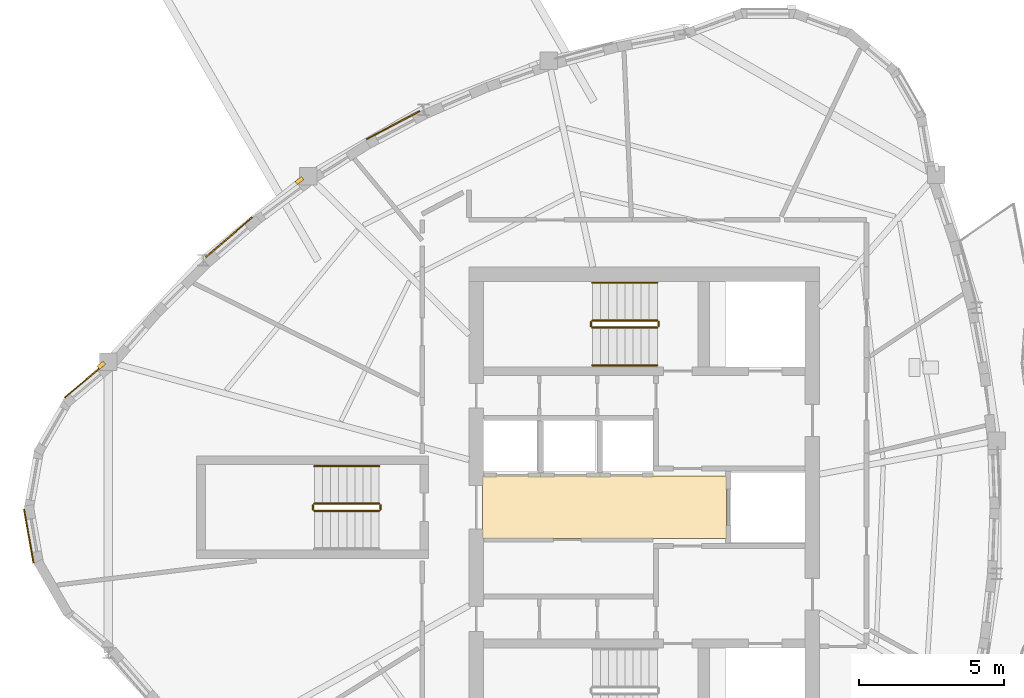
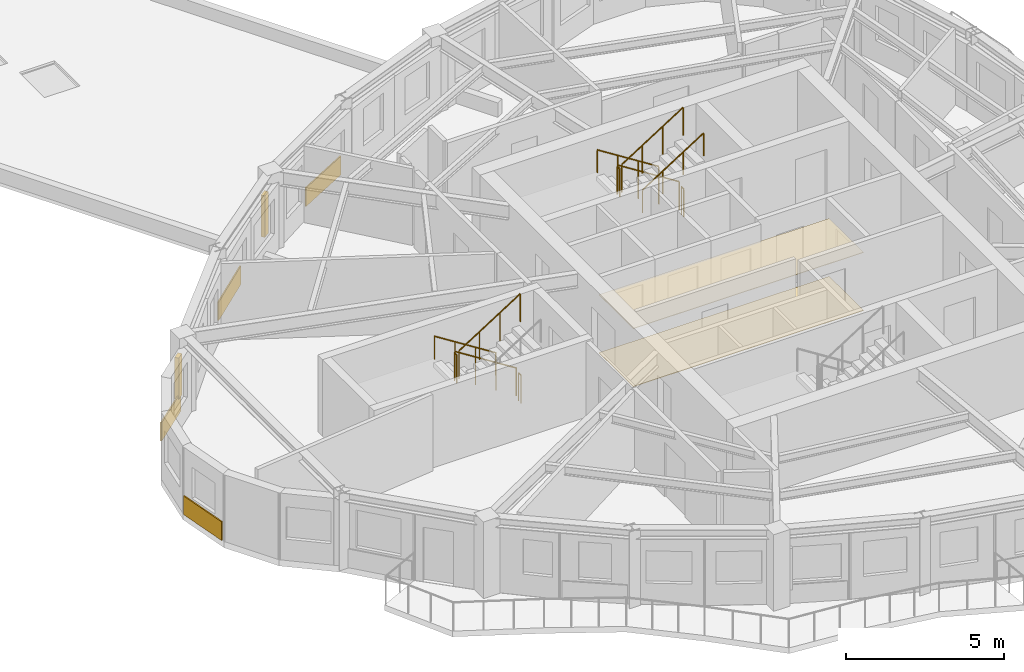
# One storey, part 9 of 11: 11 railings, 6 coverings, 2 shading devices.
"""IFC4 building model written with IfcOpenShell, lengths in metres."""

from ifc_helpers import new_model, si_unit, direction, frame, origin, origin_2d, place, context, subcontext, project, spatial, polyline, rectangle, circle, outline, extrude, source, transform, mapped, material, layer, layer_set, type_object, element, save


model = new_model("IFC4")

# Units and contexts
model_context = context("Model", 3, precision=1e-05, world=origin(), true_north=direction((0.0, 1.0)))
body_context = subcontext(model_context, "Body", "Model", "MODEL_VIEW")
ifc_project = project(units=[si_unit("LENGTHUNIT", "METRE"), si_unit("AREAUNIT", "SQUARE_METRE"), si_unit("VOLUMEUNIT", "CUBIC_METRE"), si_unit("PLANEANGLEUNIT", "RADIAN"), si_unit("MASSUNIT", "GRAM", prefix="KILO")], contexts=[model_context])

# Site, building, storey
site_placement = place(None, origin())
site = spatial("IfcSite", under=ifc_project, at=site_placement, CompositionType="ELEMENT")
building_placement = place(site_placement, origin())
building = spatial("IfcBuilding", under=site, at=building_placement, Name="Qafzar Sky-Pleat Residences", CompositionType="ELEMENT")
storey_placement = place(building_placement, frame((0.0, 0.0, 214.800048828125)))
storey = spatial("IfcBuildingStorey", under=building, at=storey_placement, Name="L64", CompositionType="ELEMENT", Elevation=214.800048828125)

# Coverings
ifc_material_1 = material(Name="Perforated acoustic gypsum board ceiling")
ifc_layer_1 = layer(ifc_material_1, 0.02001953125)
ifc_layer_set_1 = layer_set([ifc_layer_1], Name="Perforated acoustic gypsum board ceiling")
covering_type_1 = type_object("IfcCoveringType", Name="COV-CEIL-ACOUSTIC", PredefinedType="CEILING", material=ifc_layer_set_1)
covering_1_placement = place(storey_placement, frame((0.0, 0.0, 2.239990234375)))
element("IfcCovering", 1, at=covering_1_placement, inside=storey, type_object=covering_type_1, Name="L64 Passenger Lift Lobby Acoustic Ceiling", PredefinedType="CEILING", context=body_context, shape_type="SweptSolid", body=[
    extrude(outline(polyline([(33.179931640625, 24.919921875), (24.77001953125, 24.919921875), (24.77001953125, 27.080078125), (33.179931640625, 27.080078125), (33.179931640625, 24.919921875)])), origin(), (0.0, 0.0, 1.0), 0.02001953125),
])
ifc_material_2 = material(Name="Honed porcelain and Riyadh stone tile flooring", Category="masonry")
ifc_layer_2 = layer(ifc_material_2, 0.02001953125)
ifc_layer_set_2 = layer_set([ifc_layer_2], Name="Honed porcelain and Riyadh stone tile flooring")
covering_type_2 = type_object("IfcCoveringType", Name="COV-FLR-PORCELAIN", PredefinedType="FLOORING", material=ifc_layer_set_2)
covering_2_placement = place(storey_placement, origin())
element("IfcCovering", 2, at=covering_2_placement, inside=storey, type_object=covering_type_2, Name="L64 Passenger Lift Lobby Honed Stone Flooring", PredefinedType="FLOORING", context=body_context, shape_type="SweptSolid", body=[
    extrude(outline(polyline([(33.179931640625, 24.919921875), (24.77001953125, 24.919921875), (24.77001953125, 27.080078125), (33.179931640625, 27.080078125), (33.179931640625, 24.919921875)])), origin(), (0.0, 0.0, 1.0), 0.02001953125),
])

# Shading devices
ifc_material_3 = material(Name="Honed Riyadh limestone solar fin", Category="masonry")
ifc_layer_3 = layer(ifc_material_3, 0.139892578125)
ifc_layer_set_3 = layer_set([ifc_layer_3], Name="Honed Riyadh limestone solar fin")
shading_device_type = type_object("IfcShadingDeviceType", Name="SHD-FIN-STONE", PredefinedType="SHUTTER", material=ifc_layer_set_3)
shared_shape_1 = source(origin(), body_context, "Body", "SweptSolid", [
    extrude(rectangle(XDim=0.139892578125, YDim=0.280029296875, at=origin_2d()), origin(), (0.0, 0.0, 1.0), 1.60009765625),
])
for number, where, z_axis, x_axis, name in (
    (3, (11.608154296875, 30.90478515625, 0.599853515625), (0.0, 0.0, 1.0), (-0.642754210861, 0.76607246682, 0.0), "L64 Limestone Solar Fin 1"),
    (4, (18.4462890625, 37.279296875, 0.599853515625), (0.0, 0.0, 1.0), (-0.594882727746, 0.803812503156, 0.0), "L64 Limestone Solar Fin 45"),
):
    element("IfcShadingDevice", number, at=place(storey_placement, frame(where, z_axis=z_axis, x_axis=x_axis)), inside=storey, type_object=shading_device_type, Name=name, PredefinedType="SHUTTER", context=body_context, shape_type="MappedRepresentation", body=[
        mapped(shared_shape_1, transform((0.0, 0.0, 0.0), x_axis=(1.0, 0.0, 0.0), y_axis=(0.0, 1.0, 0.0), z_axis=(0.0, 0.0, 1.0), scale=1.0)),
    ])

# Coverings
ifc_material_4 = material(Name="Honed Riyadh Tuwaiq limestone cladding", Category="masonry")
ifc_layer_4 = layer(ifc_material_4, 0.044921875)
ifc_layer_set_4 = layer_set([ifc_layer_4], Name="Honed Riyadh Tuwaiq limestone cladding")
covering_type_3 = type_object("IfcCoveringType", Name="COV-CLAD-STONE", PredefinedType="CLADDING", material=ifc_layer_set_4)
shared_shape_2 = source(origin(), body_context, "Body", "SweptSolid", [
    extrude(rectangle(XDim=1.88134765625, YDim=0.044921875, at=origin_2d()), origin(), (0.0, 0.0, 1.0), 0.719970703125),
])
covering_3_placement = place(storey_placement, frame((9.103271484375, 25.00439453125, 0.02001953125), z_axis=(0.0, 0.0, 1.0), x_axis=(0.173662519465, -0.984805224059, 0.0)))
element("IfcCovering", 5, at=covering_3_placement, inside=storey, type_object=covering_type_3, Name="L64 Riyadh Limestone Spandrel Cladding 4", PredefinedType="CLADDING", context=body_context, shape_type="MappedRepresentation", body=[
    mapped(shared_shape_2, transform((0.0, 0.0, 0.0), x_axis=(1.0, 0.0, 0.0), y_axis=(0.0, 1.0, 0.0), z_axis=(0.0, 0.0, 1.0), scale=1.0)),
])
shared_shape_3 = source(origin(), body_context, "Body", "SweptSolid", [
    extrude(rectangle(XDim=1.76611328125, YDim=0.044921875, at=origin_2d()), origin(), (0.0, 0.0, 1.0), 0.719970703125),
])
covering_4_placement = place(storey_placement, frame((11.015380859375, 30.351318359375, 0.02001953125), z_axis=(0.0, 0.0, 1.0), x_axis=(-0.76607417096, -0.642752179762, 0.0)))
element("IfcCovering", 6, at=covering_4_placement, inside=storey, type_object=covering_type_3, Name="L64 Riyadh Limestone Spandrel Cladding 1", PredefinedType="CLADDING", context=body_context, shape_type="MappedRepresentation", body=[
    mapped(shared_shape_3, transform((0.0, 0.0, 0.0), x_axis=(1.0, 0.0, 0.0), y_axis=(0.0, 1.0, 0.0), z_axis=(0.0, 0.0, 1.0), scale=1.0)),
])
shared_shape_4 = source(origin(), body_context, "Body", "SweptSolid", [
    extrude(rectangle(XDim=2.0830078125, YDim=0.044921875, at=origin_2d()), origin(), (0.0, 0.0, 1.0), 0.719970703125),
])
covering_5_placement = place(storey_placement, frame((21.677001953125, 39.1904296875, 0.02001953125), z_axis=(0.0, 0.0, 1.0), x_axis=(-0.884395651499, -0.466737968896, 0.0)))
element("IfcCovering", 7, at=covering_5_placement, inside=storey, type_object=covering_type_3, Name="L64 Riyadh Limestone Spandrel Cladding 43", PredefinedType="CLADDING", context=body_context, shape_type="MappedRepresentation", body=[
    mapped(shared_shape_4, transform((0.0, 0.0, 0.0), x_axis=(1.0, 0.0, 0.0), y_axis=(0.0, 1.0, 0.0), z_axis=(0.0, 0.0, 1.0), scale=1.0)),
])
shared_shape_5 = source(origin(), body_context, "Body", "SweptSolid", [
    extrude(rectangle(XDim=2.11865234375, YDim=0.044921875, at=origin_2d()), origin(), (0.0, 0.0, 1.0), 0.719970703125),
])
covering_6_placement = place(storey_placement, frame((16.01953125, 35.324462890625, 0.02001953125), z_axis=(0.0, 0.0, 1.0), x_axis=(-0.757484574267, -0.652853061376, 0.0)))
element("IfcCovering", 8, at=covering_6_placement, inside=storey, type_object=covering_type_3, Name="L64 Riyadh Limestone Spandrel Cladding 46", PredefinedType="CLADDING", context=body_context, shape_type="MappedRepresentation", body=[
    mapped(shared_shape_5, transform((0.0, 0.0, 0.0), x_axis=(1.0, 0.0, 0.0), y_axis=(0.0, 1.0, 0.0), z_axis=(0.0, 0.0, 1.0), scale=1.0)),
])

# Railings
ifc_material_5 = material(Name="Painted Steel S355 stair guardrail", Category="steel")
railing_type_1 = type_object("IfcRailingType", Name="RAIL-STAIR-GUARD", PredefinedType="GUARDRAIL", material=ifc_material_5)
shared_shape_6 = source(origin(), body_context, "Body", "SweptSolid", [
    extrude(circle(Radius=0.02392578125, at=origin_2d()), frame((0.0, 0.0, 1.076171875), z_axis=(0.0, -1.0, 0.0), x_axis=(1.0, 0.0, 0.0)), (0.0, 0.0, 1.0), 0.14990234375),
    extrude(circle(Radius=0.02099609375, at=origin_2d()), origin(), (0.0, 0.0, 1.0), 1.052001953125),
    extrude(circle(Radius=0.02099609375, at=origin_2d()), frame((0.0, -0.14990234375, 0.0)), (0.0, 0.0, 1.0), 1.052001953125),
])
for number, where, name in (
    (9, (28.510009765625, 32.39990234375, 1.599853515625), "L64 ST2 stair guard 2"),
    (10, (30.85009765625, 32.39990234375, 0.0), "L64 ST2 stair guard 4"),
    (11, (18.909912109375, 26.074951171875, 1.599853515625), "L64 ST3 stair guard 2"),
    (12, (21.25, 26.074951171875, 0.0), "L64 ST3 stair guard 4"),
):
    element("IfcRailing", number, at=place(storey_placement, frame(where)), inside=storey, type_object=railing_type_1, Name=name, PredefinedType="GUARDRAIL", context=body_context, shape_type="MappedRepresentation", body=[
        mapped(shared_shape_6, transform((0.0, 0.0, 0.0), x_axis=(1.0, 0.0, 0.0), y_axis=(0.0, 1.0, 0.0), z_axis=(0.0, 0.0, 1.0), scale=1.0)),
    ])
shared_shape_7 = source(origin(), body_context, "Body", "SweptSolid", [
    extrude(circle(Radius=0.02392578125, at=origin_2d()), frame((0.0, 0.0, 1.076171875), z_axis=(-0.8442293374, 0.0, 0.53598211339), x_axis=(0.0, -1.0, 0.0)), (0.0, 0.0, 1.0), 2.6533203125),
    extrude(circle(Radius=0.02099609375, at=origin_2d()), origin(), (0.0, 0.0, 1.0), 1.052001953125),
    extrude(circle(Radius=0.02099609375, at=origin_2d()), frame((-0.74658203125, 0.0, 0.47412109375)), (0.0, 0.0, 1.0), 1.052001953125),
    extrude(circle(Radius=0.02099609375, at=origin_2d()), frame((-1.493408203125, 0.0, 0.947998046875)), (0.0, 0.0, 1.0), 1.052001953125),
    extrude(circle(Radius=0.02099609375, at=origin_2d()), frame((-2.239990234375, 0.0, 1.422119140625)), (0.0, 0.0, 1.0), 1.052001953125),
])
for number, where, name in (
    (13, (30.800048828125, 32.449951171875, 0.177734375), "L64 ST2 stair guard 1"),
    (14, (21.199951171875, 26.125, 0.177734375), "L64 ST3 stair guard 1"),
):
    element("IfcRailing", number, at=place(storey_placement, frame(where)), inside=storey, type_object=railing_type_1, Name=name, PredefinedType="GUARDRAIL", context=body_context, shape_type="MappedRepresentation", body=[
        mapped(shared_shape_7, transform((0.0, 0.0, 0.0), x_axis=(1.0, 0.0, 0.0), y_axis=(0.0, 1.0, 0.0), z_axis=(0.0, 0.0, 1.0), scale=1.0)),
    ])
shared_shape_8 = source(origin(), body_context, "Body", "SweptSolid", [
    extrude(circle(Radius=0.02392578125, at=origin_2d()), frame((0.0, 0.0, 1.076171875), z_axis=(0.8442293374, 0.0, 0.53598211339), x_axis=(0.0, 1.0, 0.0)), (0.0, 0.0, 1.0), 2.6533203125),
    extrude(circle(Radius=0.02099609375, at=origin_2d()), origin(), (0.0, 0.0, 1.0), 1.052001953125),
    extrude(circle(Radius=0.02099609375, at=origin_2d()), frame((0.74658203125, 0.0, 0.47412109375)), (0.0, 0.0, 1.0), 1.052001953125),
    extrude(circle(Radius=0.02099609375, at=origin_2d()), frame((1.493408203125, 0.0, 0.947998046875)), (0.0, 0.0, 1.0), 1.052001953125),
    extrude(circle(Radius=0.02099609375, at=origin_2d()), frame((2.239990234375, 0.0, 1.422119140625)), (0.0, 0.0, 1.0), 1.052001953125),
])
for number, where, name in (
    (15, (28.56005859375, 32.199951171875, 1.77783203125), "L64 ST2 stair guard 3"),
    (16, (18.9599609375, 25.875, 1.77783203125), "L64 ST3 stair guard 3"),
):
    element("IfcRailing", number, at=place(storey_placement, frame(where)), inside=storey, type_object=railing_type_1, Name=name, PredefinedType="GUARDRAIL", context=body_context, shape_type="MappedRepresentation", body=[
        mapped(shared_shape_8, transform((0.0, 0.0, 0.0), x_axis=(1.0, 0.0, 0.0), y_axis=(0.0, 1.0, 0.0), z_axis=(0.0, 0.0, 1.0), scale=1.0)),
    ])
ifc_material_6 = material(Name="Brushed stainless steel handrail", Category="steel")
railing_type_2 = type_object("IfcRailingType", Name="RAIL-STAIR-HAND", PredefinedType="HANDRAIL", material=ifc_material_6)
shared_shape_9 = source(origin(), body_context, "Body", "SweptSolid", [
    extrude(circle(Radius=0.02392578125, at=origin_2d()), frame((0.0, 0.0, 0.8759765625), z_axis=(-0.8442293374, 0.0, 0.53598211339), x_axis=(0.0, -1.0, 0.0)), (0.0, 0.0, 1.0), 2.6533203125),
    extrude(circle(Radius=0.02099609375, at=origin_2d()), origin(), (0.0, 0.0, 1.0), 0.851806640625),
    extrude(circle(Radius=0.02099609375, at=origin_2d()), frame((-0.74658203125, 0.0, 0.47412109375)), (0.0, 0.0, 1.0), 0.851806640625),
    extrude(circle(Radius=0.02099609375, at=origin_2d()), frame((-1.493408203125, 0.0, 0.947998046875)), (0.0, 0.0, 1.0), 0.851806640625),
    extrude(circle(Radius=0.02099609375, at=origin_2d()), frame((-2.239990234375, 0.0, 1.422119140625)), (0.0, 0.0, 1.0), 0.851806640625),
])
for number, where, name in (
    (17, (30.800048828125, 33.75, 0.177734375), "L64 ST2 stair handrail 1"),
    (18, (21.199951171875, 27.425048828125, 0.177734375), "L64 ST3 stair handrail 1"),
):
    element("IfcRailing", number, at=place(storey_placement, frame(where)), inside=storey, type_object=railing_type_2, Name=name, PredefinedType="HANDRAIL", context=body_context, shape_type="MappedRepresentation", body=[
        mapped(shared_shape_9, transform((0.0, 0.0, 0.0), x_axis=(1.0, 0.0, 0.0), y_axis=(0.0, 1.0, 0.0), z_axis=(0.0, 0.0, 1.0), scale=1.0)),
    ])
shared_shape_10 = source(origin(), body_context, "Body", "SweptSolid", [
    extrude(circle(Radius=0.02392578125, at=origin_2d()), frame((0.0, 0.0, 0.8759765625), z_axis=(0.8442293374, 0.0, 0.53598211339), x_axis=(0.0, 1.0, 0.0)), (0.0, 0.0, 1.0), 2.6533203125),
    extrude(circle(Radius=0.02099609375, at=origin_2d()), origin(), (0.0, 0.0, 1.0), 0.851806640625),
    extrude(circle(Radius=0.02099609375, at=origin_2d()), frame((0.74658203125, 0.0, 0.47412109375)), (0.0, 0.0, 1.0), 0.851806640625),
    extrude(circle(Radius=0.02099609375, at=origin_2d()), frame((1.493408203125, 0.0, 0.947998046875)), (0.0, 0.0, 1.0), 0.851806640625),
    extrude(circle(Radius=0.02099609375, at=origin_2d()), frame((2.239990234375, 0.0, 1.422119140625)), (0.0, 0.0, 1.0), 0.851806640625),
])
railing_placement = place(storey_placement, frame((28.56005859375, 30.89990234375, 1.77783203125)))
element("IfcRailing", 19, at=railing_placement, inside=storey, type_object=railing_type_2, Name="L64 ST2 stair handrail 2", PredefinedType="HANDRAIL", context=body_context, shape_type="MappedRepresentation", body=[
    mapped(shared_shape_10, transform((0.0, 0.0, 0.0), x_axis=(1.0, 0.0, 0.0), y_axis=(0.0, 1.0, 0.0), z_axis=(0.0, 0.0, 1.0), scale=1.0)),
])

save(model, "model.ifc")
